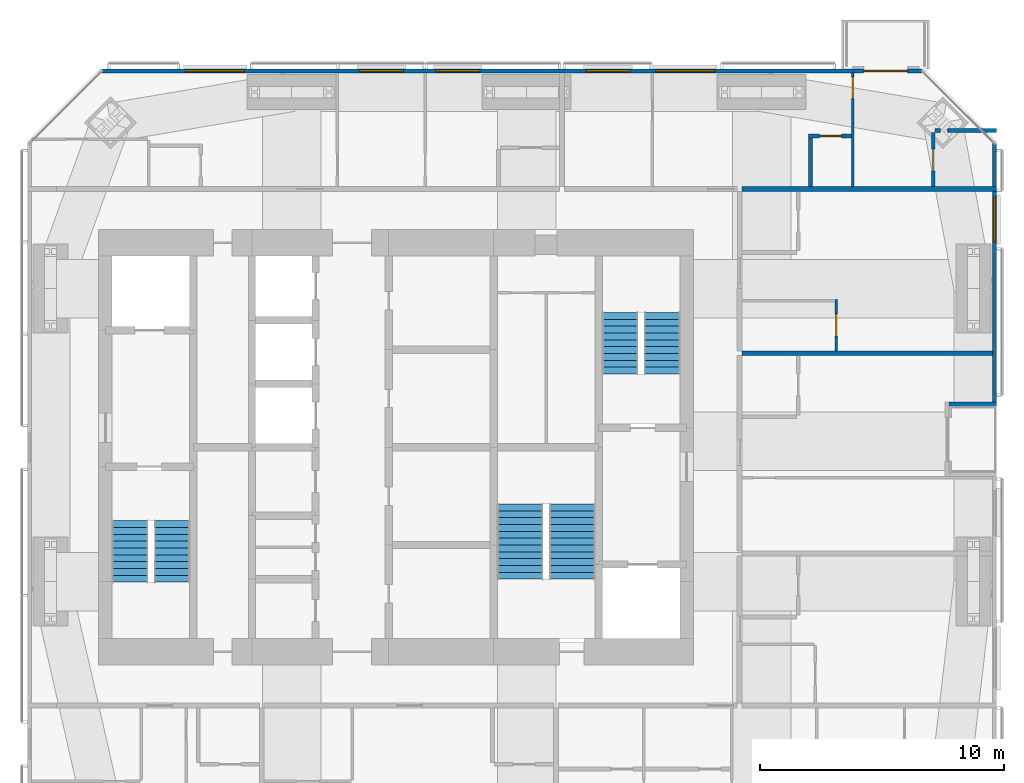
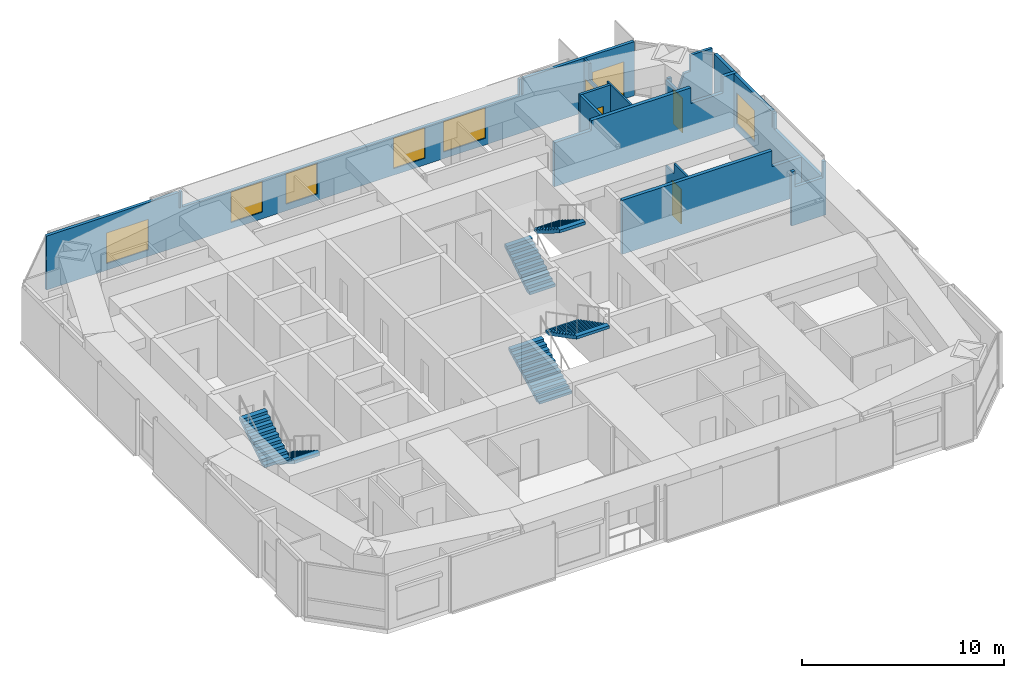
# One storey, part 18 of 19: 12 walls, 6 stair flights, 6 windows, 5 doors, 11 openings, 3 elements without a shape of their own.
"""IFC4 building model written with IfcOpenShell, lengths in metres."""

from ifc_helpers import new_model, si_unit, direction, frame, frame_2d, origin, place, context, subcontext, project, spatial, polyline, rectangle, outline, extrude, material, constituent, constituent_set, type_object, element, fill, aggregate, save


model = new_model("IFC4")

# Units and contexts
model_context = context("Model", 3, precision=1e-05, world=origin(), true_north=direction((0.0, 1.0)))
body_context = subcontext(model_context, "Body", "Model", "MODEL_VIEW")
ifc_project = project(units=[si_unit("LENGTHUNIT", "METRE"), si_unit("AREAUNIT", "SQUARE_METRE"), si_unit("VOLUMEUNIT", "CUBIC_METRE"), si_unit("PLANEANGLEUNIT", "RADIAN"), si_unit("MASSUNIT", "GRAM", prefix="KILO")], contexts=[model_context])

# Site, building, storey
site_placement = place(None, origin())
site = spatial("IfcSite", under=ifc_project, at=site_placement, CompositionType="ELEMENT")
building_placement = place(site_placement, origin())
building = spatial("IfcBuilding", under=site, at=building_placement, Name="Jalousie Tower", CompositionType="ELEMENT")
storey_placement = place(building_placement, frame((0.0, 0.0, 221.449951171875)))
storey = spatial("IfcBuildingStorey", under=building, at=storey_placement, Name="L60", CompositionType="ELEMENT", Elevation=221.449951171875)

# Walls
ifc_material_1 = material(Name="Concrete block ASTM C90", Category="concrete")
ifc_constituent_1 = constituent(ifc_material_1, Name="Body")
ifc_material_2 = material(Name="Render")
ifc_constituent_2 = constituent(ifc_material_2, Name="Finish")
ifc_constituent_set_1 = constituent_set(constituents=[ifc_constituent_1, ifc_constituent_2])
wall_type_1 = type_object("IfcWallType", Name="BATHROOM WALL 150", PredefinedType="PLUMBINGWALL", material=ifc_constituent_set_1)
wall_1_placement = place(storey_placement, frame((53.97509765625, 31.47509765625, 0.0), z_axis=(0.0, 0.0, 1.0), x_axis=(1.0, 0.0, 0.0)))
element("IfcWall", 1, at=wall_1_placement, inside=storey, type_object=wall_type_1, Name="Bathroom Wall 150 L60-A", PredefinedType="PLUMBINGWALL", context=body_context, shape_type="SweptSolid", body=[
    extrude(rectangle(XDim=0.216796875, YDim=0.14990234375, at=frame_2d((0.1083984375, 0.0))), origin(), (0.0, 0.0, 1.0), 2.300048828125),
])
wall_2_placement = place(storey_placement, frame((54.4833984375, 31.47509765625, 0.0), z_axis=(0.0, 0.0, 1.0), x_axis=(1.0, 0.0, 0.0)))
element("IfcWall", 2, at=wall_2_placement, inside=storey, type_object=wall_type_1, Name="Bathroom Wall 150 L60-B", PredefinedType="PLUMBINGWALL", context=body_context, shape_type="SweptSolid", body=[
    extrude(outline(polyline([(0.768310546875, 3.260009765625), (0.768310546875, 2.300048828125), (0.4072265625, 2.300048828125), (0.39599609375, 2.2392578125), (0.0, 1.150146484375), (0.39599609375, 0.06103515625), (0.4072265625, 0.0), (2.0166015625, 0.0), (2.0166015625, 3.260009765625), (0.768310546875, 3.260009765625)])), frame((0.0, 0.074951171875, 0.0), z_axis=(0.0, -1.0, 0.0), x_axis=(1.0, 0.0, 0.0)), (0.0, 0.0, 1.0), 0.14990234375),
])

# Wall, opening, door
wall_3_placement = place(storey_placement, frame((53.89990234375, 31.39990234375, 0.0), z_axis=(0.0, 0.0, 1.0), x_axis=(0.0, -1.0, 0.0)))
wall_3 = element("IfcWall", 3, at=wall_3_placement, inside=storey, type_object=wall_type_1, Name="Bathroom Wall 150 L60", PredefinedType="PLUMBINGWALL", context=body_context, shape_type="SweptSolid", body=[
    extrude(outline(polyline([(0.0, 0.0), (2.224853515625, 0.0), (2.22509765625, 3.260009765625), (2.22509765625, 2.300048828125), (0.43798828125, 2.300048828125), (0.0, 2.300048828125), (0.0, 3.260009765625), (0.0, 0.0)])), frame((0.0, 0.074951171875, 0.0), z_axis=(0.0, -1.0, 0.0), x_axis=(1.0, 0.0, 0.0)), (0.0, 0.0, 1.0), 0.14990234375),
])
opening_1_placement = place(wall_3_placement, frame((0.675048828125, 0.0, 0.0)))
opening_1 = element("IfcOpeningElement", 4, at=opening_1_placement, cuts=wall_3, Name="Opening D3", PredefinedType="OPENING", context=body_context, shape_type="SweptSolid", body=[
    extrude(rectangle(XDim=0.89990234375, YDim=2.10009765625, at=frame_2d((0.449951171875, 1.050048828125))), frame((0.0, 0.0849609375, 0.0), z_axis=(0.0, -1.0, 0.0), x_axis=(1.0, 0.0, 0.0)), (0.0, 0.0, 1.0), 0.169921875),
])
ifc_material_3 = material(Name="Timber door", Category="wood")
door_type_1 = type_object("IfcDoorType", Name="BATHROOM DOOR 900", OperationType="SINGLE_SWING_LEFT", PredefinedType="DOOR", material=ifc_material_3)
door_1_placement = place(opening_1_placement, origin())
door_1 = element("IfcDoor", 5, at=door_1_placement, inside=storey, type_object=door_type_1, Name="Apartment 6005 bathroom door", OperationType="SINGLE_SWING_RIGHT", OverallHeight=2.10009765625, OverallWidth=0.89990234375, PredefinedType="DOOR", context=body_context, shape_type="SweptSolid", body=[
    extrude(rectangle(XDim=0.89990234375, YDim=2.10009765625, at=frame_2d((0.449951171875, 1.050048828125))), frame((0.0, 0.02490234375, 0.0), z_axis=(0.0, -1.0, 0.0), x_axis=(1.0, 0.0, 0.0)), (0.0, 0.0, 1.0), 0.050048828125),
])
fill(opening_1, door_1)

wall_4_placement = place(storey_placement, frame((50.552490234375, 31.25, 0.0), z_axis=(0.0, 0.0, 1.0), x_axis=(-1.0, 0.0, 0.0)))
wall_4 = element("IfcWall", 6, at=wall_4_placement, inside=storey, type_object=wall_type_1, Name="Bathroom Wall 150 L60", PredefinedType="PLUMBINGWALL", context=body_context, shape_type="SweptSolid", body=[
    extrude(rectangle(XDim=1.75, YDim=0.14990234375, at=frame_2d((0.875, 0.0))), origin(), (0.0, 0.0, 1.0), 3.260009765625),
])
opening_2_placement = place(wall_4_placement, frame((0.39990234375, 0.0, 0.0)))
opening_2 = element("IfcOpeningElement", 7, at=opening_2_placement, cuts=wall_4, Name="Opening D7", PredefinedType="OPENING", context=body_context, shape_type="SweptSolid", body=[
    extrude(rectangle(XDim=0.89990234375, YDim=2.10009765625, at=frame_2d((0.449951171875, 1.050048828125))), frame((0.0, 0.0849609375, 0.0), z_axis=(0.0, -1.0, 0.0), x_axis=(1.0, 0.0, 0.0)), (0.0, 0.0, 1.0), 0.169921875),
])
ifc_material_4 = material(Name="Timber door", Category="wood")
door_type_2 = type_object("IfcDoorType", Name="INTERNAL DOOR 900", OperationType="SINGLE_SWING_LEFT", PredefinedType="DOOR", material=ifc_material_4)
door_2_placement = place(opening_2_placement, origin())
door_2 = element("IfcDoor", 8, at=door_2_placement, inside=storey, type_object=door_type_2, Name="Apartment 6005 guest WC door", OperationType="SINGLE_SWING_RIGHT", OverallHeight=2.10009765625, OverallWidth=0.89990234375, PredefinedType="DOOR", context=body_context, shape_type="SweptSolid", body=[
    extrude(rectangle(XDim=0.89990234375, YDim=2.10009765625, at=frame_2d((0.449951171875, 1.050048828125))), frame((0.0, 0.02490234375, 0.0), z_axis=(0.0, -1.0, 0.0), x_axis=(1.0, 0.0, 0.0)), (0.0, 0.0, 1.0), 0.050048828125),
])
fill(opening_2, door_2)

# Wall
wall_5_placement = place(storey_placement, frame((48.87744140625, 29.175048828125, 0.0), z_axis=(0.0, 0.0, 1.0), x_axis=(0.0, 1.0, 0.0)))
element("IfcWall", 9, at=wall_5_placement, inside=storey, type_object=wall_type_1, Name="Bathroom Wall 150 L60", PredefinedType="PLUMBINGWALL", context=body_context, shape_type="SweptSolid", body=[
    extrude(rectangle(XDim=2.0, YDim=0.14990234375, at=frame_2d((1.0, 0.0))), origin(), (0.0, 0.0, 1.0), 3.260009765625),
])

# Wall, opening, window
ifc_material_5 = material(Name="Concrete f'c 40 MPa", Category="concrete")
ifc_constituent_3 = constituent(ifc_material_5, Name="Body")
ifc_material_6 = material(Name="Render, pastel sky blue")
ifc_constituent_4 = constituent(ifc_material_6, Name="Finish")
ifc_constituent_set_2 = constituent_set(constituents=[ifc_constituent_3, ifc_constituent_4])
wall_type_2 = type_object("IfcWallType", Name="EXTERNAL WALL 175 SKY BLUE RENDER", PredefinedType="SOLIDWALL", material=ifc_constituent_set_2)
wall_6_placement = place(storey_placement, frame((56.41259765625, 20.35009765625, 0.0), z_axis=(0.0, 0.0, 1.0), x_axis=(0.0, 1.0, 0.0)))
wall_6 = element("IfcWall", 10, at=wall_6_placement, inside=storey, type_object=wall_type_2, Name="External Wall 175 Sky Blue Render L60", PredefinedType="SOLIDWALL", context=body_context, shape_type="SweptSolid", body=[
    extrude(outline(polyline([(0.0, 0.0), (10.5986328125, 0.0), (10.5986328125, 3.260009765625), (4.8583984375, 3.260009765625), (4.8583984375, 2.300048828125), (4.79345703125, 2.300048828125), (4.79345703125, 3.260009765625), (4.64990234375, 3.260009765625), (4.64990234375, 2.300048828125), (0.0, 2.300048828125), (0.0, 0.0)])), frame((0.0, 0.08740234375, 0.0), z_axis=(0.0, -1.0, 0.0), x_axis=(1.0, 0.0, 0.0)), (0.0, 0.0, 1.0), 0.175048828125),
])
opening_3_placement = place(wall_6_placement, frame((6.574951171875, 0.0, 0.39990234375)))
opening_3 = element("IfcOpeningElement", 11, at=opening_3_placement, cuts=wall_6, Name="Opening W-BED185", PredefinedType="OPENING", context=body_context, shape_type="SweptSolid", body=[
    extrude(rectangle(XDim=1.800048828125, YDim=1.85009765625, at=frame_2d((0.89990234375, 0.925048828125))), frame((0.0, 0.097412109375, 0.0), z_axis=(0.0, -1.0, 0.0), x_axis=(1.0, 0.0, 0.0)), (0.0, 0.0, 1.0), 0.195068359375),
])
ifc_material_7 = material(Name="Aluminium frame, impact-rated glazing", Category="aluminium")
window_type_1 = type_object("IfcWindowType", Name="WINDOW BED 1800x1850", PartitioningType="SINGLE_PANEL", PredefinedType="WINDOW", material=ifc_material_7)
window_1_placement = place(opening_3_placement, origin())
window_1 = element("IfcWindow", 12, at=window_1_placement, inside=storey, type_object=window_type_1, Name="Apartment 6008 studio living and sleeping room window", OverallHeight=1.85009765625, OverallWidth=1.800048828125, PartitioningType="SINGLE_PANEL", PredefinedType="WINDOW", context=body_context, shape_type="SweptSolid", body=[
    extrude(rectangle(XDim=1.800048828125, YDim=1.85009765625, at=frame_2d((0.89990234375, 0.925048828125))), frame((0.0, 0.030029296875, 0.0), z_axis=(0.0, -1.0, 0.0), x_axis=(1.0, 0.0, 0.0)), (0.0, 0.0, 1.0), 0.06005859375),
])
fill(opening_3, window_1)

# Wall
wall_7_placement = place(storey_placement, frame((56.5, 20.262451171875, 0.0), z_axis=(0.0, 0.0, 1.0), x_axis=(-1.0, 0.0, 0.0)))
element("IfcWall", 13, at=wall_7_placement, inside=storey, type_object=wall_type_2, Name="External Wall 175 Sky Blue Render L60", PredefinedType="SOLIDWALL", context=body_context, shape_type="SweptSolid", body=[
    extrude(outline(polyline([(0.0, 0.0), (1.949951171875, 0.0), (1.949951171875, 3.260009765625), (1.75, 3.260009765625), (1.75, 2.300048828125), (0.14990234375, 2.300048828125), (0.14990234375, 3.260009765625), (0.0, 3.260009765625), (0.0, 0.0)])), frame((0.0, 0.08740234375, 0.0), z_axis=(0.0, -1.0, 0.0), x_axis=(1.0, 0.0, 0.0)), (0.0, 0.0, 1.0), 0.175048828125),
])

# Wall, openings, door, windows
wall_8_placement = place(storey_placement, frame((53.44873046875, 33.91259765625, 0.0), z_axis=(0.0, 0.0, 1.0), x_axis=(-1.0, 0.0, 0.0)))
wall_8 = element("IfcWall", 14, at=wall_8_placement, inside=storey, type_object=wall_type_2, Name="External Wall 175 Sky Blue Render L60", PredefinedType="SOLIDWALL", context=body_context, shape_type="SweptSolid", body=[
    extrude(outline(polyline([(0.0, 0.0), (33.597412109375, 0.0), (33.597412109375, 3.260009765625), (26.03857421875, 3.260009765625), (26.03857421875, 2.300048828125), (25.955078125, 2.300048828125), (25.955078125, 3.260009765625), (25.82373046875, 3.260009765625), (25.82373046875, 2.300048828125), (6.57373046875, 2.300048828125), (6.57373046875, 3.260009765625), (6.4423828125, 3.260009765625), (6.4423828125, 2.300048828125), (6.35888671875, 2.300048828125), (6.35888671875, 3.260009765625), (0.0, 3.260009765625), (0.0, 0.0)])), frame((0.0, 0.08740234375, 0.0), z_axis=(0.0, -1.0, 0.0), x_axis=(1.0, 0.0, 0.0)), (0.0, 0.0, 1.0), 0.175048828125),
])
opening_4_placement = place(wall_8_placement, frame((0.60009765625, 0.0, 0.0)))
opening_4 = element("IfcOpeningElement", 15, at=opening_4_placement, cuts=wall_8, Name="Opening D-BAL22", PredefinedType="OPENING", context=body_context, shape_type="SweptSolid", body=[
    extrude(rectangle(XDim=1.800048828125, YDim=2.25, at=frame_2d((0.89990234375, 1.125))), frame((0.0, 0.097412109375, 0.0), z_axis=(0.0, -1.0, 0.0), x_axis=(1.0, 0.0, 0.0)), (0.0, 0.0, 1.0), 0.195068359375),
])
opening_5_placement = place(wall_8_placement, frame((8.498779296875, 0.0, 0.39990234375)))
opening_5 = element("IfcOpeningElement", 16, at=opening_5_placement, cuts=wall_8, Name="Opening W-LIV185", PredefinedType="OPENING", context=body_context, shape_type="SweptSolid", body=[
    extrude(rectangle(XDim=2.39990234375, YDim=1.85009765625, at=frame_2d((1.199951171875, 0.925048828125))), frame((0.0, 0.097412109375, 0.0), z_axis=(0.0, -1.0, 0.0), x_axis=(1.0, 0.0, 0.0)), (0.0, 0.0, 1.0), 0.195068359375),
])
opening_6_placement = place(wall_8_placement, frame((11.9736328125, 0.0, 0.39990234375)))
opening_6 = element("IfcOpeningElement", 17, at=opening_6_placement, cuts=wall_8, Name="Opening W-BED185", PredefinedType="OPENING", context=body_context, shape_type="SweptSolid", body=[
    extrude(rectangle(XDim=1.800048828125, YDim=1.85009765625, at=frame_2d((0.89990234375, 0.925048828125))), frame((0.0, 0.097412109375, 0.0), z_axis=(0.0, -1.0, 0.0), x_axis=(1.0, 0.0, 0.0)), (0.0, 0.0, 1.0), 0.195068359375),
])
opening_7_placement = place(wall_8_placement, frame((18.123779296875, 0.0, 0.39990234375)))
opening_7 = element("IfcOpeningElement", 18, at=opening_7_placement, cuts=wall_8, Name="Opening W-BED185", PredefinedType="OPENING", context=body_context, shape_type="SweptSolid", body=[
    extrude(rectangle(XDim=1.800048828125, YDim=1.85009765625, at=frame_2d((0.89990234375, 0.925048828125))), frame((0.0, 0.097412109375, 0.0), z_axis=(0.0, -1.0, 0.0), x_axis=(1.0, 0.0, 0.0)), (0.0, 0.0, 1.0), 0.195068359375),
])
opening_8_placement = place(wall_8_placement, frame((21.248779296875, 0.0, 0.39990234375)))
opening_8 = element("IfcOpeningElement", 19, at=opening_8_placement, cuts=wall_8, Name="Opening W-BED185", PredefinedType="OPENING", context=body_context, shape_type="SweptSolid", body=[
    extrude(rectangle(XDim=1.800048828125, YDim=1.85009765625, at=frame_2d((0.89990234375, 0.925048828125))), frame((0.0, 0.097412109375, 0.0), z_axis=(0.0, -1.0, 0.0), x_axis=(1.0, 0.0, 0.0)), (0.0, 0.0, 1.0), 0.195068359375),
])
opening_9_placement = place(wall_8_placement, frame((27.760498046875, 0.0, 0.39990234375)))
opening_9 = element("IfcOpeningElement", 20, at=opening_9_placement, cuts=wall_8, Name="Opening W-LIV185", PredefinedType="OPENING", context=body_context, shape_type="SweptSolid", body=[
    extrude(rectangle(XDim=2.39990234375, YDim=1.85009765625, at=frame_2d((1.199951171875, 0.925048828125))), frame((0.0, 0.097412109375, 0.0), z_axis=(0.0, -1.0, 0.0), x_axis=(1.0, 0.0, 0.0)), (0.0, 0.0, 1.0), 0.195068359375),
])
ifc_material_8 = material(Name="Aluminium frame, impact-rated glazing", Category="aluminium")
door_type_3 = type_object("IfcDoorType", Name="BALCONY DOOR 1800x2250", OperationType="SLIDING_TO_LEFT", PredefinedType="DOOR", material=ifc_material_8)
door_3_placement = place(opening_4_placement, origin())
door_3 = element("IfcDoor", 21, at=door_3_placement, inside=storey, type_object=door_type_3, Name="Apartment 6005 bedroom 1 balcony door", OperationType="SLIDING_TO_LEFT", OverallHeight=2.25, OverallWidth=1.800048828125, PredefinedType="DOOR", context=body_context, shape_type="SweptSolid", body=[
    extrude(rectangle(XDim=1.800048828125, YDim=2.25, at=frame_2d((0.89990234375, 1.125))), frame((0.0, 0.02490234375, 0.0), z_axis=(0.0, -1.0, 0.0), x_axis=(1.0, 0.0, 0.0)), (0.0, 0.0, 1.0), 0.050048828125),
])
fill(opening_4, door_3)
window_2_placement = place(opening_6_placement, origin())
window_2 = element("IfcWindow", 22, at=window_2_placement, inside=storey, type_object=window_type_1, Name="Apartment 6005 bedroom 2 window", OverallHeight=1.85009765625, OverallWidth=1.800048828125, PartitioningType="SINGLE_PANEL", PredefinedType="WINDOW", context=body_context, shape_type="SweptSolid", body=[
    extrude(rectangle(XDim=1.800048828125, YDim=1.85009765625, at=frame_2d((0.89990234375, 0.925048828125))), frame((0.0, 0.030029296875, 0.0), z_axis=(0.0, -1.0, 0.0), x_axis=(1.0, 0.0, 0.0)), (0.0, 0.0, 1.0), 0.06005859375),
])
fill(opening_6, window_2)
window_3_placement = place(opening_7_placement, origin())
window_3 = element("IfcWindow", 23, at=window_3_placement, inside=storey, type_object=window_type_1, Name="Apartment 6004 bedroom 1 window", OverallHeight=1.85009765625, OverallWidth=1.800048828125, PartitioningType="SINGLE_PANEL", PredefinedType="WINDOW", context=body_context, shape_type="SweptSolid", body=[
    extrude(rectangle(XDim=1.800048828125, YDim=1.85009765625, at=frame_2d((0.89990234375, 0.925048828125))), frame((0.0, 0.030029296875, 0.0), z_axis=(0.0, -1.0, 0.0), x_axis=(1.0, 0.0, 0.0)), (0.0, 0.0, 1.0), 0.06005859375),
])
fill(opening_7, window_3)
window_4_placement = place(opening_8_placement, origin())
window_4 = element("IfcWindow", 24, at=window_4_placement, inside=storey, type_object=window_type_1, Name="Apartment 6004 bedroom 2 window", OverallHeight=1.85009765625, OverallWidth=1.800048828125, PartitioningType="SINGLE_PANEL", PredefinedType="WINDOW", context=body_context, shape_type="SweptSolid", body=[
    extrude(rectangle(XDim=1.800048828125, YDim=1.85009765625, at=frame_2d((0.89990234375, 0.925048828125))), frame((0.0, 0.030029296875, 0.0), z_axis=(0.0, -1.0, 0.0), x_axis=(1.0, 0.0, 0.0)), (0.0, 0.0, 1.0), 0.06005859375),
])
fill(opening_8, window_4)
ifc_material_9 = material(Name="Aluminium frame, impact-rated glazing", Category="aluminium")
window_type_2 = type_object("IfcWindowType", Name="WINDOW LIV 2400x1850", PartitioningType="DOUBLE_PANEL_VERTICAL", PredefinedType="WINDOW", material=ifc_material_9)
window_5_placement = place(opening_5_placement, origin())
window_5 = element("IfcWindow", 25, at=window_5_placement, inside=storey, type_object=window_type_2, Name="Apartment 6005 living, dining and kitchen window", OverallHeight=1.85009765625, OverallWidth=2.39990234375, PartitioningType="SINGLE_PANEL", PredefinedType="WINDOW", context=body_context, shape_type="SweptSolid", body=[
    extrude(rectangle(XDim=2.39990234375, YDim=1.85009765625, at=frame_2d((1.199951171875, 0.925048828125))), frame((0.0, 0.030029296875, 0.0), z_axis=(0.0, -1.0, 0.0), x_axis=(1.0, 0.0, 0.0)), (0.0, 0.0, 1.0), 0.06005859375),
])
fill(opening_5, window_5)
window_6_placement = place(opening_9_placement, origin())
window_6 = element("IfcWindow", 26, at=window_6_placement, inside=storey, type_object=window_type_2, Name="Apartment 6004 living and dining room window", OverallHeight=1.85009765625, OverallWidth=2.39990234375, PartitioningType="SINGLE_PANEL", PredefinedType="WINDOW", context=body_context, shape_type="SweptSolid", body=[
    extrude(rectangle(XDim=2.39990234375, YDim=1.85009765625, at=frame_2d((1.199951171875, 0.925048828125))), frame((0.0, 0.030029296875, 0.0), z_axis=(0.0, -1.0, 0.0), x_axis=(1.0, 0.0, 0.0)), (0.0, 0.0, 1.0), 0.06005859375),
])
fill(opening_9, window_6)

# Wall, opening, door
ifc_material_10 = material(Name="Gypsum board", Category="gypsum")
ifc_constituent_5 = constituent(ifc_material_10, Name="Body")
ifc_material_11 = material(Name="Light-gauge steel studs ASTM A653 SS Grade 33", Category="steel")
ifc_constituent_6 = constituent(ifc_material_11, Name="Framing")
ifc_constituent_set_3 = constituent_set(constituents=[ifc_constituent_5, ifc_constituent_6])
wall_type_3 = type_object("IfcWallType", Name="PARTITION 100", PredefinedType="PARTITIONING", material=ifc_constituent_set_3)
wall_9_placement = place(storey_placement, frame((50.6025390625, 33.824951171875, 0.0), z_axis=(0.0, 0.0, 1.0), x_axis=(0.0, -1.0, 0.0)))
wall_9 = element("IfcWall", 27, at=wall_9_placement, inside=storey, type_object=wall_type_3, Name="Partition 100 L60", PredefinedType="PARTITIONING", context=body_context, shape_type="SweptSolid", body=[
    extrude(outline(polyline([(0.0, 0.0), (4.64990234375, 0.0), (4.64990234375, 3.260009765625), (2.279052734375, 3.260009765625), (2.279052734375, 2.300048828125), (0.534423828125, 2.300048828125), (0.534423828125, 3.260009765625), (0.0, 3.260009765625), (0.0, 0.0)])), frame((0.0, 0.050048828125, 0.0), z_axis=(0.0, -1.0, 0.0), x_axis=(1.0, 0.0, 0.0)), (0.0, 0.0, 1.0), 0.10009765625),
])
opening_10_placement = place(wall_9_placement, frame((0.14990234375, 0.0, 0.0)))
opening_10 = element("IfcOpeningElement", 28, at=opening_10_placement, cuts=wall_9, Name="Opening D2", PredefinedType="OPENING", context=body_context, shape_type="SweptSolid", body=[
    extrude(rectangle(XDim=0.89990234375, YDim=2.10009765625, at=frame_2d((0.449951171875, 1.050048828125))), frame((0.0, 0.06005859375, 0.0), z_axis=(0.0, -1.0, 0.0), x_axis=(1.0, 0.0, 0.0)), (0.0, 0.0, 1.0), 0.1201171875),
])
ifc_material_12 = material(Name="Timber door", Category="wood")
door_type_4 = type_object("IfcDoorType", Name="BEDROOM DOOR 900", OperationType="SINGLE_SWING_LEFT", PredefinedType="DOOR", material=ifc_material_12)
door_4_placement = place(opening_10_placement, origin())
door_4 = element("IfcDoor", 29, at=door_4_placement, inside=storey, type_object=door_type_4, Name="Apartment 6005 bedroom 1 door", OperationType="SINGLE_SWING_LEFT", OverallHeight=2.10009765625, OverallWidth=0.89990234375, PredefinedType="DOOR", context=body_context, shape_type="SweptSolid", body=[
    extrude(rectangle(XDim=0.89990234375, YDim=2.10009765625, at=frame_2d((0.449951171875, 1.050048828125))), frame((0.0, 0.02490234375, 0.0), z_axis=(0.0, -1.0, 0.0), x_axis=(1.0, 0.0, 0.0)), (0.0, 0.0, 1.0), 0.050048828125),
])
fill(opening_10, door_4)

wall_10_placement = place(storey_placement, frame((49.925048828125, 22.449951171875, 0.0), z_axis=(0.0, 0.0, 1.0), x_axis=(0.0, 1.0, 0.0)))
wall_10 = element("IfcWall", 30, at=wall_10_placement, inside=storey, type_object=wall_type_3, Name="Partition 100 L60", PredefinedType="PARTITIONING", context=body_context, shape_type="SweptSolid", body=[
    extrude(outline(polyline([(0.0, 0.0), (2.10009765625, 0.0), (2.10009765625, 3.260009765625), (2.10009765625, 2.66015625), (1.2900390625, 2.66015625), (1.2900390625, 3.260009765625), (0.0, 3.260009765625), (0.0, 0.0)])), frame((0.0, 0.050048828125, 0.0), z_axis=(0.0, -1.0, 0.0), x_axis=(1.0, 0.0, 0.0)), (0.0, 0.0, 1.0), 0.10009765625),
])
opening_11_placement = place(wall_10_placement, frame((0.60009765625, 0.0, 0.0)))
opening_11 = element("IfcOpeningElement", 31, at=opening_11_placement, cuts=wall_10, Name="Opening D7", PredefinedType="OPENING", context=body_context, shape_type="SweptSolid", body=[
    extrude(rectangle(XDim=0.89990234375, YDim=2.10009765625, at=frame_2d((0.449951171875, 1.050048828125))), frame((0.0, 0.06005859375, 0.0), z_axis=(0.0, -1.0, 0.0), x_axis=(1.0, 0.0, 0.0)), (0.0, 0.0, 1.0), 0.1201171875),
])
door_5_placement = place(opening_11_placement, origin())
door_5 = element("IfcDoor", 32, at=door_5_placement, inside=storey, type_object=door_type_2, Name="Apartment 6008 kitchen door", OperationType="SINGLE_SWING_RIGHT", OverallHeight=2.10009765625, OverallWidth=0.89990234375, PredefinedType="DOOR", context=body_context, shape_type="SweptSolid", body=[
    extrude(rectangle(XDim=0.89990234375, YDim=2.10009765625, at=frame_2d((0.449951171875, 1.050048828125))), frame((0.0, 0.02490234375, 0.0), z_axis=(0.0, -1.0, 0.0), x_axis=(1.0, 0.0, 0.0)), (0.0, 0.0, 1.0), 0.050048828125),
])
fill(opening_11, door_5)

# Walls
ifc_material_13 = material(Name="Concrete block ASTM C90", Category="concrete")
ifc_constituent_7 = constituent(ifc_material_13, Name="Body")
ifc_material_14 = material(Name="Render")
ifc_constituent_8 = constituent(ifc_material_14, Name="Finish")
ifc_constituent_set_4 = constituent_set(constituents=[ifc_constituent_7, ifc_constituent_8])
wall_type_4 = type_object("IfcWallType", Name="PARTY WALL 200", PredefinedType="PARTITIONING", material=ifc_constituent_set_4)
wall_11_placement = place(storey_placement, frame((46.074951171875, 29.074951171875, 0.0), z_axis=(0.0, 0.0, 1.0), x_axis=(1.0, 0.0, 0.0)))
element("IfcWall", 33, at=wall_11_placement, inside=storey, type_object=wall_type_4, Name="Party Wall 200 L60", PredefinedType="PARTITIONING", context=body_context, shape_type="SweptSolid", body=[
    extrude(outline(polyline([(0.0, 0.0), (10.425048828125, 0.0), (10.425048828125, 3.260009765625), (9.646240234375, 3.260009765625), (9.646240234375, 2.300048828125), (7.79541015625, 2.300048828125), (7.79541015625, 3.260009765625), (2.110107421875, 3.260009765625), (2.110107421875, 2.66015625), (0.0, 2.66015625), (0.0, 3.260009765625), (0.0, 0.0)])), frame((0.0, 0.10009765625, 0.0), z_axis=(0.0, -1.0, 0.0), x_axis=(1.0, 0.0, 0.0)), (0.0, 0.0, 1.0), 0.199951171875),
])
wall_12_placement = place(storey_placement, frame((56.324951171875, 22.35009765625, 0.0), z_axis=(0.0, 0.0, 1.0), x_axis=(-1.0, 0.0, 0.0)))
element("IfcWall", 34, at=wall_12_placement, inside=storey, type_object=wall_type_4, Name="Party Wall 200 L60", PredefinedType="PARTITIONING", context=body_context, shape_type="SweptSolid", body=[
    extrude(outline(polyline([(0.0, 0.0), (10.25, 0.0), (10.25, 3.260009765625), (1.68505859375, 3.260009765625), (1.68505859375, 2.300048828125), (0.0, 2.300048828125), (0.0, 3.260009765625), (0.0, 0.0)])), frame((0.0, 0.10009765625, 0.0), z_axis=(0.0, -1.0, 0.0), x_axis=(1.0, 0.0, 0.0)), (0.0, 0.0, 1.0), 0.199951171875),
])

# Stair, stair flights
ifc_material_15 = material(Name="Concrete f'c 40 MPa", Category="concrete")
stair_type = type_object("IfcStairType", Name="EXIT STAIR", PredefinedType="HALF_TURN_STAIR", material=ifc_material_15)
stair_1_placement = place(storey_placement, origin())
stair_1 = element("IfcStair", 35, at=stair_1_placement, inside=storey, type_object=stair_type, Name="Exit stair A L60", PredefinedType="HALF_TURN_STAIR")
ifc_material_16 = material(Name="Concrete f'c 40 MPa", Category="concrete")
stair_flight_type = type_object("IfcStairFlightType", Name="STAIR FLIGHT", PredefinedType="STRAIGHT", material=ifc_material_16)
stair_flight_1_placement = place(storey_placement, frame((22.71875, 15.49755859375, 0.0), z_axis=(0.0, 0.0, 1.0), x_axis=(0.0, -1.0, 0.0)))
stair_flight_1 = element("IfcStairFlight", 36, at=stair_flight_1_placement, type_object=stair_flight_type, Name="ST-A flight 1", NumberOfRisers=10, NumberOfTreads=9, PredefinedType="STRAIGHT", RiserHeight=0.175, TreadLength=0.28, context=body_context, shape_type="SweptSolid", body=[
    extrude(outline(polyline([(0.0, 0.0), (0.0, 0.175048828125), (0.280029296875, 0.175048828125), (0.280029296875, 0.35009765625), (0.56005859375, 0.35009765625), (0.56005859375, 0.52490234375), (0.840087890625, 0.52490234375), (0.840087890625, 0.699951171875), (1.1201171875, 0.699951171875), (1.1201171875, 0.875), (1.39990234375, 0.875), (1.39990234375, 1.050048828125), (1.679931640625, 1.050048828125), (1.679931640625, 1.22509765625), (1.9599609375, 1.22509765625), (1.9599609375, 1.39990234375), (2.239990234375, 1.39990234375), (2.239990234375, 1.574951171875), (2.52001953125, 1.574951171875), (2.52001953125, 1.75), (2.52001953125, 1.398193359375), (0.28271484375, 0.0), (0.0, 0.0)])), frame((0.0, 0.731201171875, 0.0), z_axis=(0.0, -1.0, 0.0), x_axis=(1.0, 0.0, 0.0)), (0.0, 0.0, 1.0), 1.46240234375),
])
stair_flight_2_placement = place(storey_placement, frame((21.00634765625, 12.9775390625, 1.75), z_axis=(0.0, 0.0, 1.0), x_axis=(0.0, 1.0, 0.0)))
stair_flight_2 = element("IfcStairFlight", 37, at=stair_flight_2_placement, type_object=stair_flight_type, Name="ST-A flight 2", NumberOfRisers=10, NumberOfTreads=9, PredefinedType="STRAIGHT", RiserHeight=0.175, TreadLength=0.28, context=body_context, shape_type="SweptSolid", body=[
    extrude(outline(polyline([(0.0, 0.0), (0.0, 0.175048828125), (0.280029296875, 0.175048828125), (0.280029296875, 0.35009765625), (0.56005859375, 0.35009765625), (0.56005859375, 0.52490234375), (0.840087890625, 0.52490234375), (0.840087890625, 0.699951171875), (1.1201171875, 0.699951171875), (1.1201171875, 0.875), (1.39990234375, 0.875), (1.39990234375, 1.050048828125), (1.679931640625, 1.050048828125), (1.679931640625, 1.22509765625), (1.9599609375, 1.22509765625), (1.9599609375, 1.39990234375), (2.239990234375, 1.39990234375), (2.239990234375, 1.574951171875), (2.52001953125, 1.574951171875), (2.52001953125, 1.75), (2.52001953125, 1.398193359375), (0.28271484375, 0.0), (0.0, 0.0)])), frame((0.0, 0.731201171875, 0.0), z_axis=(0.0, -1.0, 0.0), x_axis=(1.0, 0.0, 0.0)), (0.0, 0.0, 1.0), 1.46240234375),
])
aggregate(stair_1, [stair_flight_1, stair_flight_2])

stair_2_placement = place(storey_placement, origin())
stair_2 = element("IfcStair", 38, at=stair_2_placement, inside=storey, type_object=stair_type, Name="Exit stair B L60", PredefinedType="HALF_TURN_STAIR")
stair_flight_3_placement = place(storey_placement, frame((41.081298828125, 21.50244140625, 0.0), z_axis=(0.0, 0.0, 1.0), x_axis=(0.0, 1.0, 0.0)))
stair_flight_3 = element("IfcStairFlight", 39, at=stair_flight_3_placement, type_object=stair_flight_type, Name="ST-B flight 1", NumberOfRisers=10, NumberOfTreads=9, PredefinedType="STRAIGHT", RiserHeight=0.175, TreadLength=0.28, context=body_context, shape_type="SweptSolid", body=[
    extrude(outline(polyline([(0.0, 0.0), (0.0, 0.175048828125), (0.280029296875, 0.175048828125), (0.280029296875, 0.35009765625), (0.56005859375, 0.35009765625), (0.56005859375, 0.52490234375), (0.840087890625, 0.52490234375), (0.840087890625, 0.699951171875), (1.1201171875, 0.699951171875), (1.1201171875, 0.875), (1.39990234375, 0.875), (1.39990234375, 1.050048828125), (1.679931640625, 1.050048828125), (1.679931640625, 1.22509765625), (1.9599609375, 1.22509765625), (1.9599609375, 1.39990234375), (2.239990234375, 1.39990234375), (2.239990234375, 1.574951171875), (2.52001953125, 1.574951171875), (2.52001953125, 1.75), (2.52001953125, 1.398193359375), (0.28271484375, 0.0), (0.0, 0.0)])), frame((0.0, 0.731201171875, 0.0), z_axis=(0.0, -1.0, 0.0), x_axis=(1.0, 0.0, 0.0)), (0.0, 0.0, 1.0), 1.46240234375),
])
stair_flight_4_placement = place(storey_placement, frame((42.793701171875, 24.0224609375, 1.75), z_axis=(0.0, 0.0, 1.0), x_axis=(0.0, -1.0, 0.0)))
stair_flight_4 = element("IfcStairFlight", 40, at=stair_flight_4_placement, type_object=stair_flight_type, Name="ST-B flight 2", NumberOfRisers=10, NumberOfTreads=9, PredefinedType="STRAIGHT", RiserHeight=0.175, TreadLength=0.28, context=body_context, shape_type="SweptSolid", body=[
    extrude(outline(polyline([(0.0, 0.0), (0.0, 0.175048828125), (0.280029296875, 0.175048828125), (0.280029296875, 0.35009765625), (0.56005859375, 0.35009765625), (0.56005859375, 0.52490234375), (0.840087890625, 0.52490234375), (0.840087890625, 0.699951171875), (1.1201171875, 0.699951171875), (1.1201171875, 0.875), (1.39990234375, 0.875), (1.39990234375, 1.050048828125), (1.679931640625, 1.050048828125), (1.679931640625, 1.22509765625), (1.9599609375, 1.22509765625), (1.9599609375, 1.39990234375), (2.239990234375, 1.39990234375), (2.239990234375, 1.574951171875), (2.52001953125, 1.574951171875), (2.52001953125, 1.75), (2.52001953125, 1.398193359375), (0.28271484375, 0.0), (0.0, 0.0)])), frame((0.0, 0.731201171875, 0.0), z_axis=(0.0, -1.0, 0.0), x_axis=(1.0, 0.0, 0.0)), (0.0, 0.0, 1.0), 1.46240234375),
])
aggregate(stair_2, [stair_flight_3, stair_flight_4])

stair_3_placement = place(storey_placement, origin())
stair_3 = element("IfcStair", 41, at=stair_3_placement, inside=storey, type_object=stair_type, Name="Exit stair C L60", PredefinedType="HALF_TURN_STAIR")
stair_flight_5_placement = place(storey_placement, frame((36.987548828125, 13.097412109375, 0.0), z_axis=(0.0, 0.0, 1.0), x_axis=(0.0, 1.0, 0.0)))
stair_flight_5 = element("IfcStairFlight", 42, at=stair_flight_5_placement, type_object=stair_flight_type, Name="ST-C flight 1", NumberOfRisers=12, NumberOfTreads=11, PredefinedType="STRAIGHT", RiserHeight=0.145833333, TreadLength=0.28, context=body_context, shape_type="SweptSolid", body=[
    extrude(outline(polyline([(0.0, 0.0), (0.0, 0.145751953125), (0.280029296875, 0.145751953125), (0.280029296875, 0.291748046875), (0.56005859375, 0.291748046875), (0.56005859375, 0.4375), (0.840087890625, 0.4375), (0.840087890625, 0.583251953125), (1.1201171875, 0.583251953125), (1.1201171875, 0.729248046875), (1.39990234375, 0.729248046875), (1.39990234375, 0.875), (1.679931640625, 0.875), (1.679931640625, 1.020751953125), (1.9599609375, 1.020751953125), (1.9599609375, 1.166748046875), (2.239990234375, 1.166748046875), (2.239990234375, 1.3125), (2.52001953125, 1.3125), (2.52001953125, 1.458251953125), (2.800048828125, 1.458251953125), (2.800048828125, 1.604248046875), (3.080078125, 1.604248046875), (3.080078125, 1.75), (3.080078125, 1.43505859375), (0.324462890625, 0.0), (0.0, 0.0)])), frame((0.0, 0.9375, 0.0), z_axis=(0.0, -1.0, 0.0), x_axis=(1.0, 0.0, 0.0)), (0.0, 0.0, 1.0), 1.875),
])
stair_flight_6_placement = place(storey_placement, frame((39.112548828125, 16.177490234375, 1.75), z_axis=(0.0, 0.0, 1.0), x_axis=(0.0, -1.0, 0.0)))
stair_flight_6 = element("IfcStairFlight", 43, at=stair_flight_6_placement, type_object=stair_flight_type, Name="ST-C flight 2", NumberOfRisers=12, NumberOfTreads=11, PredefinedType="STRAIGHT", RiserHeight=0.145833333, TreadLength=0.28, context=body_context, shape_type="SweptSolid", body=[
    extrude(outline(polyline([(0.0, 0.0), (0.0, 0.145751953125), (0.280029296875, 0.145751953125), (0.280029296875, 0.291748046875), (0.56005859375, 0.291748046875), (0.56005859375, 0.4375), (0.840087890625, 0.4375), (0.840087890625, 0.583251953125), (1.1201171875, 0.583251953125), (1.1201171875, 0.729248046875), (1.39990234375, 0.729248046875), (1.39990234375, 0.875), (1.679931640625, 0.875), (1.679931640625, 1.020751953125), (1.9599609375, 1.020751953125), (1.9599609375, 1.166748046875), (2.239990234375, 1.166748046875), (2.239990234375, 1.3125), (2.52001953125, 1.3125), (2.52001953125, 1.458251953125), (2.800048828125, 1.458251953125), (2.800048828125, 1.604248046875), (3.080078125, 1.604248046875), (3.080078125, 1.75), (3.080078125, 1.43505859375), (0.324462890625, 0.0), (0.0, 0.0)])), frame((0.0, 0.9375, 0.0), z_axis=(0.0, -1.0, 0.0), x_axis=(1.0, 0.0, 0.0)), (0.0, 0.0, 1.0), 1.875),
])
aggregate(stair_3, [stair_flight_5, stair_flight_6])

save(model, "model.ifc")
